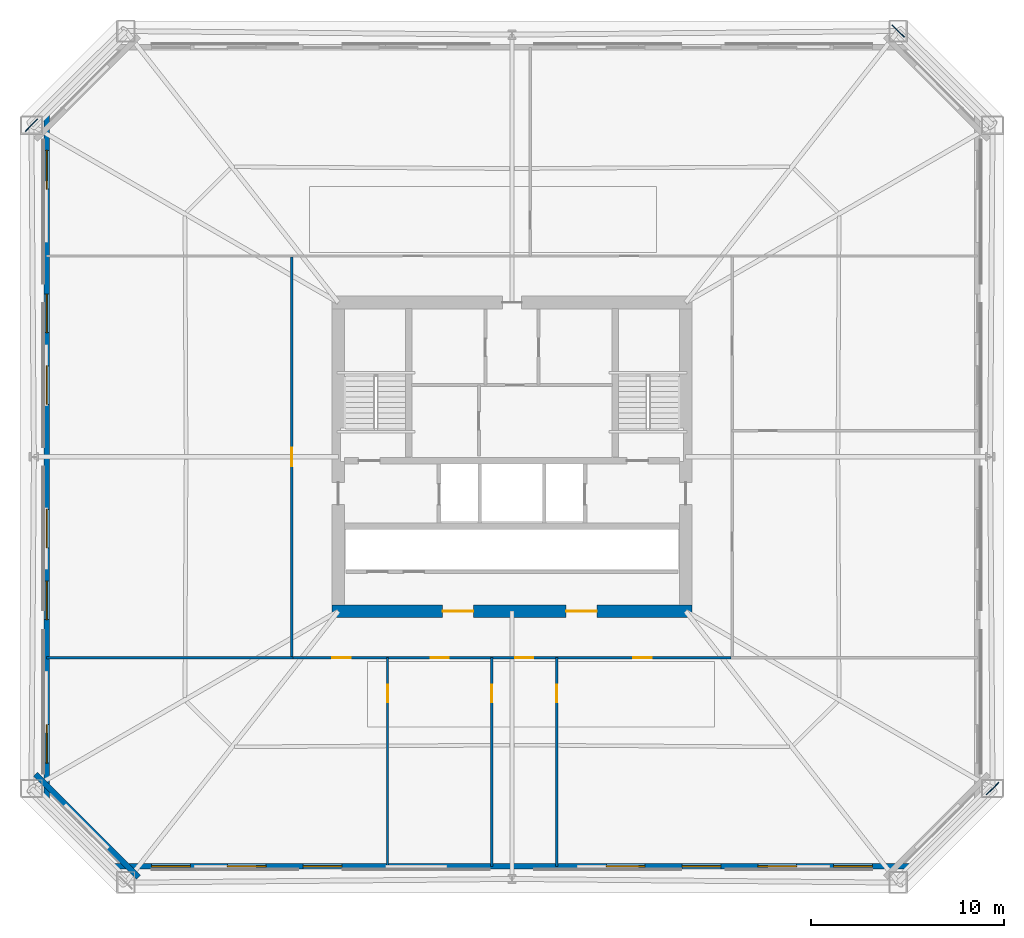
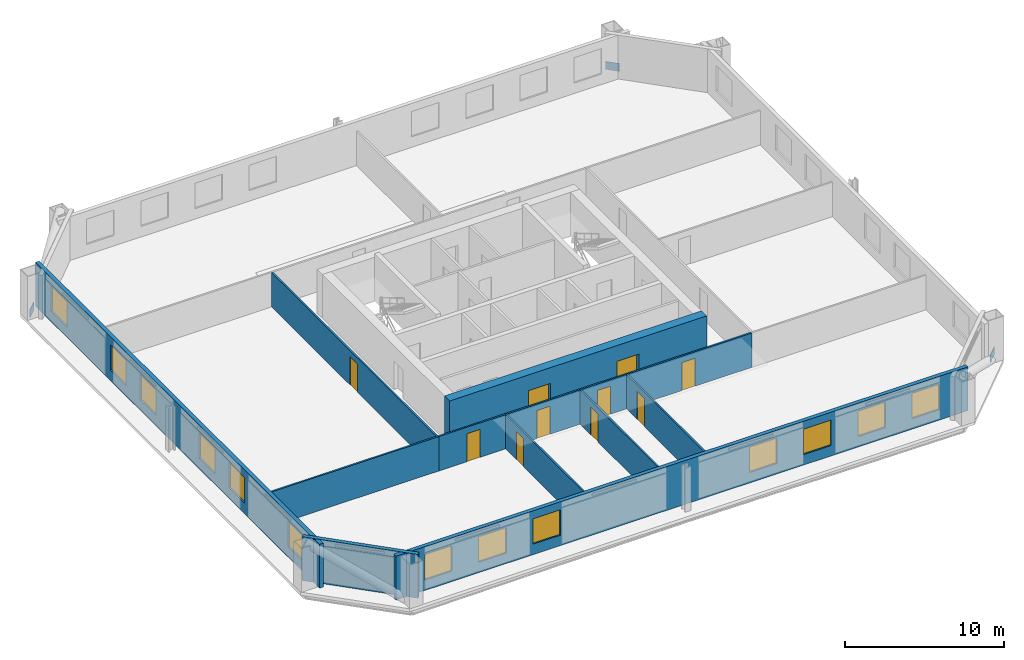
# One storey, part 4 of 9: 13 windows, 10 doors, 10 walls, 3 plates, 23 openings.
"""IFC4 building model written with IfcOpenShell, lengths in metres."""

from ifc_helpers import new_model, si_unit, direction, frame, frame_2d, origin, origin_2d, place, context, subcontext, project, spatial, rectangle, extrude, material, layer, layer_set, type_object, element, fill, save


model = new_model("IFC4")

# Units and contexts
model_context = context("Model", 3, precision=1e-05, world=origin(), true_north=direction((0.0, 1.0)))
body_context = subcontext(model_context, "Body", "Model", "MODEL_VIEW")
ifc_project = project(units=[si_unit("LENGTHUNIT", "METRE"), si_unit("AREAUNIT", "SQUARE_METRE"), si_unit("VOLUMEUNIT", "CUBIC_METRE"), si_unit("PLANEANGLEUNIT", "RADIAN"), si_unit("MASSUNIT", "GRAM", prefix="KILO")], contexts=[model_context])

# Site, building, storey
site_placement = place(None, origin())
site = spatial("IfcSite", under=ifc_project, at=site_placement, CompositionType="ELEMENT")
building_placement = place(site_placement, origin())
building = spatial("IfcBuilding", under=site, at=building_placement, Name="Caelvoria Tower", CompositionType="ELEMENT")
storey_placement = place(building_placement, frame((0.0, 0.0, 53.199951171875)))
storey = spatial("IfcBuildingStorey", under=building, at=storey_placement, Name="L13", CompositionType="ELEMENT", Elevation=53.199951171875)

# Plates
ifc_material_1 = material(Name="Structural Steel ASTM A572 Gr.50", Category="steel")
ifc_layer_1 = layer(ifc_material_1, 0.0400390625, Name="Structural Steel ASTM A572 Gr.50")
ifc_layer_set_1 = layer_set([ifc_layer_1], Name="Megaframe Node Gusset Plate 900x600x40 - Structural Steel ASTM A572 Gr.50")
plate_type = type_object("IfcPlateType", Name="Megaframe Node Gusset Plate 900x600x40", PredefinedType="USERDEFINED", material=ifc_layer_set_1)
for number, where, z_axis, x_axis, name in (
    (1, (70.907470703125, 14.80908203125, 0.02001953125), (0.0, 0.0, 1.0), (-0.708220325679, -0.705991480328, 0.0), "Chamfer Mega Brace Gusset L13 SE"),
    (2, (66.016357421875, 54.066650390625, 0.02001953125), (0.0, 0.0, 1.0), (0.708220325679, -0.705991480328, 0.0), "Chamfer Mega Brace Gusset L13 NE"),
    (3, (21.092529296875, 49.19091796875, 0.02001953125), (0.0, 0.0, 1.0), (0.708220325679, 0.705991480328, 0.0), "Chamfer Mega Brace Gusset L13 NW"),
):
    element("IfcPlate", number, at=place(storey_placement, frame(where, z_axis=z_axis, x_axis=x_axis)), inside=storey, type_object=plate_type, Name=name, ObjectType="GUSSET_PLATE", PredefinedType="USERDEFINED", context=body_context, shape_type="SweptSolid", body=[
        extrude(rectangle(XDim=0.89990234375, YDim=0.0400390625, at=origin_2d()), origin(), (0.0, 0.0, 1.0), 0.60009765625),
    ])

# Wall, openings, windows
ifc_material_2 = material(Name="Precast Concrete C40/50 with Bronze Cladding", Category="concrete")
ifc_layer_2 = layer(ifc_material_2, 0.280029296875, Name="Precast Concrete C40/50 with Bronze Cladding")
ifc_layer_set_2 = layer_set([ifc_layer_2], Name="Exterior Precast Concrete C40/50 Bronze-Clad Facade Wall 280 - Precast Concrete C40/50 with Bronze Cladding")
wall_type_1 = type_object("IfcWallType", Name="Exterior Precast Concrete C40/50 Bronze-Clad Facade Wall 280", PredefinedType="STANDARD", material=ifc_layer_set_2)
wall_1_placement = place(storey_placement, frame((25.260009765625, 10.780029296875, 0.0), z_axis=(0.0, 0.0, 1.0), x_axis=(1.0, 0.0, 0.0)))
wall_1 = element("IfcWall", 4, at=wall_1_placement, inside=storey, type_object=wall_type_1, Name="Exterior Facade Wall L13-E0", PredefinedType="STANDARD", context=body_context, shape_type="SweptSolid", body=[
    extrude(rectangle(XDim=41.47998046875, YDim=0.280029296875, at=frame_2d((20.739990234375, 0.0))), origin(), (0.0, 0.0, 1.0), 3.360107421875),
])
opening_1_placement = place(wall_1_placement, frame((2.06396484375, 0.0, 0.800048828125)))
opening_1 = element("IfcOpeningElement", 5, at=opening_1_placement, cuts=wall_1, Name="Opening WN-01", PredefinedType="OPENING", context=body_context, shape_type="SweptSolid", body=[
    extrude(rectangle(XDim=2.0, YDim=1.949951171875, at=frame_2d((1.0, 0.97509765625))), frame((0.0, 0.14990234375, 0.0), z_axis=(0.0, -1.0, 0.0), x_axis=(1.0, 0.0, 0.0)), (0.0, 0.0, 1.0), 0.300048828125),
])
opening_2_placement = place(wall_1_placement, frame((5.991943359375, 0.0, 0.800048828125)))
opening_2 = element("IfcOpeningElement", 6, at=opening_2_placement, cuts=wall_1, Name="Opening WN-01", PredefinedType="OPENING", context=body_context, shape_type="SweptSolid", body=[
    extrude(rectangle(XDim=2.0, YDim=1.949951171875, at=frame_2d((1.0, 0.97509765625))), frame((0.0, 0.14990234375, 0.0), z_axis=(0.0, -1.0, 0.0), x_axis=(1.0, 0.0, 0.0)), (0.0, 0.0, 1.0), 0.300048828125),
])
opening_3_placement = place(wall_1_placement, frame((9.919921875, 0.0, 0.800048828125)))
opening_3 = element("IfcOpeningElement", 7, at=opening_3_placement, cuts=wall_1, Name="Opening WN-01", PredefinedType="OPENING", context=body_context, shape_type="SweptSolid", body=[
    extrude(rectangle(XDim=2.0, YDim=1.949951171875, at=frame_2d((1.0, 0.97509765625))), frame((0.0, 0.14990234375, 0.0), z_axis=(0.0, -1.0, 0.0), x_axis=(1.0, 0.0, 0.0)), (0.0, 0.0, 1.0), 0.300048828125),
])
opening_4_placement = place(wall_1_placement, frame((25.632080078125, 0.0, 0.800048828125)))
opening_4 = element("IfcOpeningElement", 8, at=opening_4_placement, cuts=wall_1, Name="Opening WN-01", PredefinedType="OPENING", context=body_context, shape_type="SweptSolid", body=[
    extrude(rectangle(XDim=2.0, YDim=1.949951171875, at=frame_2d((1.0, 0.97509765625))), frame((0.0, 0.14990234375, 0.0), z_axis=(0.0, -1.0, 0.0), x_axis=(1.0, 0.0, 0.0)), (0.0, 0.0, 1.0), 0.300048828125),
])
opening_5_placement = place(wall_1_placement, frame((29.56005859375, 0.0, 0.800048828125)))
opening_5 = element("IfcOpeningElement", 9, at=opening_5_placement, cuts=wall_1, Name="Opening WN-01", PredefinedType="OPENING", context=body_context, shape_type="SweptSolid", body=[
    extrude(rectangle(XDim=2.0, YDim=1.949951171875, at=frame_2d((1.0, 0.97509765625))), frame((0.0, 0.14990234375, 0.0), z_axis=(0.0, -1.0, 0.0), x_axis=(1.0, 0.0, 0.0)), (0.0, 0.0, 1.0), 0.300048828125),
])
opening_6_placement = place(wall_1_placement, frame((33.488037109375, 0.0, 0.800048828125)))
opening_6 = element("IfcOpeningElement", 10, at=opening_6_placement, cuts=wall_1, Name="Opening WN-01", PredefinedType="OPENING", context=body_context, shape_type="SweptSolid", body=[
    extrude(rectangle(XDim=2.0, YDim=1.949951171875, at=frame_2d((1.0, 0.97509765625))), frame((0.0, 0.14990234375, 0.0), z_axis=(0.0, -1.0, 0.0), x_axis=(1.0, 0.0, 0.0)), (0.0, 0.0, 1.0), 0.300048828125),
])
opening_7_placement = place(wall_1_placement, frame((37.416015625, 0.0, 0.800048828125)))
opening_7 = element("IfcOpeningElement", 11, at=opening_7_placement, cuts=wall_1, Name="Opening WN-01", PredefinedType="OPENING", context=body_context, shape_type="SweptSolid", body=[
    extrude(rectangle(XDim=2.0, YDim=1.949951171875, at=frame_2d((1.0, 0.97509765625))), frame((0.0, 0.14990234375, 0.0), z_axis=(0.0, -1.0, 0.0), x_axis=(1.0, 0.0, 0.0)), (0.0, 0.0, 1.0), 0.300048828125),
])
ifc_material_3 = material(Name="Low-E Tinted Glass in Bronze Aluminium Frame", Category="aluminium")
window_type = type_object("IfcWindowType", Name="Tower Office Vision Window 2000x1950", PartitioningType="SINGLE_PANEL", PredefinedType="WINDOW", material=ifc_material_3)
window_1_placement = place(opening_1_placement, origin())
window_1 = element("IfcWindow", 12, at=window_1_placement, inside=storey, type_object=window_type, Name="Facade Window L13-E0-00", OverallHeight=1.949951171875, OverallWidth=2.0, PartitioningType="SINGLE_PANEL", PredefinedType="WINDOW", context=body_context, shape_type="SweptSolid", body=[
    extrude(rectangle(XDim=2.0, YDim=1.949951171875, at=frame_2d((1.0, 0.97509765625))), frame((0.0, 0.030029296875, 0.0), z_axis=(0.0, -1.0, 0.0), x_axis=(1.0, 0.0, 0.0)), (0.0, 0.0, 1.0), 0.06005859375),
])
fill(opening_1, window_1)
window_2_placement = place(opening_2_placement, origin())
window_2 = element("IfcWindow", 13, at=window_2_placement, inside=storey, type_object=window_type, Name="Facade Window L13-E0-01", OverallHeight=1.949951171875, OverallWidth=2.0, PartitioningType="SINGLE_PANEL", PredefinedType="WINDOW", context=body_context, shape_type="SweptSolid", body=[
    extrude(rectangle(XDim=2.0, YDim=1.949951171875, at=frame_2d((1.0, 0.97509765625))), frame((0.0, 0.030029296875, 0.0), z_axis=(0.0, -1.0, 0.0), x_axis=(1.0, 0.0, 0.0)), (0.0, 0.0, 1.0), 0.06005859375),
])
fill(opening_2, window_2)
window_3_placement = place(opening_3_placement, origin())
window_3 = element("IfcWindow", 14, at=window_3_placement, inside=storey, type_object=window_type, Name="Facade Window L13-E0-02", OverallHeight=1.949951171875, OverallWidth=2.0, PartitioningType="SINGLE_PANEL", PredefinedType="WINDOW", context=body_context, shape_type="SweptSolid", body=[
    extrude(rectangle(XDim=2.0, YDim=1.949951171875, at=frame_2d((1.0, 0.97509765625))), frame((0.0, 0.030029296875, 0.0), z_axis=(0.0, -1.0, 0.0), x_axis=(1.0, 0.0, 0.0)), (0.0, 0.0, 1.0), 0.06005859375),
])
fill(opening_3, window_3)
window_4_placement = place(opening_4_placement, origin())
window_4 = element("IfcWindow", 15, at=window_4_placement, inside=storey, type_object=window_type, Name="Facade Window L13-E0-06", OverallHeight=1.949951171875, OverallWidth=2.0, PartitioningType="SINGLE_PANEL", PredefinedType="WINDOW", context=body_context, shape_type="SweptSolid", body=[
    extrude(rectangle(XDim=2.0, YDim=1.949951171875, at=frame_2d((1.0, 0.97509765625))), frame((0.0, 0.030029296875, 0.0), z_axis=(0.0, -1.0, 0.0), x_axis=(1.0, 0.0, 0.0)), (0.0, 0.0, 1.0), 0.06005859375),
])
fill(opening_4, window_4)
window_5_placement = place(opening_5_placement, origin())
window_5 = element("IfcWindow", 16, at=window_5_placement, inside=storey, type_object=window_type, Name="Facade Window L13-E0-07", OverallHeight=1.949951171875, OverallWidth=2.0, PartitioningType="SINGLE_PANEL", PredefinedType="WINDOW", context=body_context, shape_type="SweptSolid", body=[
    extrude(rectangle(XDim=2.0, YDim=1.949951171875, at=frame_2d((1.0, 0.97509765625))), frame((0.0, 0.030029296875, 0.0), z_axis=(0.0, -1.0, 0.0), x_axis=(1.0, 0.0, 0.0)), (0.0, 0.0, 1.0), 0.06005859375),
])
fill(opening_5, window_5)
window_6_placement = place(opening_6_placement, origin())
window_6 = element("IfcWindow", 17, at=window_6_placement, inside=storey, type_object=window_type, Name="Facade Window L13-E0-08", OverallHeight=1.949951171875, OverallWidth=2.0, PartitioningType="SINGLE_PANEL", PredefinedType="WINDOW", context=body_context, shape_type="SweptSolid", body=[
    extrude(rectangle(XDim=2.0, YDim=1.949951171875, at=frame_2d((1.0, 0.97509765625))), frame((0.0, 0.030029296875, 0.0), z_axis=(0.0, -1.0, 0.0), x_axis=(1.0, 0.0, 0.0)), (0.0, 0.0, 1.0), 0.06005859375),
])
fill(opening_6, window_6)
window_7_placement = place(opening_7_placement, origin())
window_7 = element("IfcWindow", 18, at=window_7_placement, inside=storey, type_object=window_type, Name="Facade Window L13-E0-09", OverallHeight=1.949951171875, OverallWidth=2.0, PartitioningType="SINGLE_PANEL", PredefinedType="WINDOW", context=body_context, shape_type="SweptSolid", body=[
    extrude(rectangle(XDim=2.0, YDim=1.949951171875, at=frame_2d((1.0, 0.97509765625))), frame((0.0, 0.030029296875, 0.0), z_axis=(0.0, -1.0, 0.0), x_axis=(1.0, 0.0, 0.0)), (0.0, 0.0, 1.0), 0.06005859375),
])
fill(opening_7, window_7)

wall_2_placement = place(storey_placement, frame((21.8798828125, 49.840087890625, 0.0), z_axis=(0.0, 0.0, 1.0), x_axis=(0.0, -1.0, 0.0)))
wall_2 = element("IfcWall", 19, at=wall_2_placement, inside=storey, type_object=wall_type_1, Name="Exterior Facade Wall L13-E6", PredefinedType="STANDARD", context=body_context, shape_type="SweptSolid", body=[
    extrude(rectangle(XDim=35.68017578125, YDim=0.280029296875, at=frame_2d((17.840087890625, 0.0))), origin(), (0.0, 0.0, 1.0), 3.360107421875),
])
opening_8_placement = place(wall_2_placement, frame((1.9599609375, 0.0, 0.800048828125)))
opening_8 = element("IfcOpeningElement", 20, at=opening_8_placement, cuts=wall_2, Name="Opening WN-01", PredefinedType="OPENING", context=body_context, shape_type="SweptSolid", body=[
    extrude(rectangle(XDim=2.0, YDim=1.949951171875, at=frame_2d((1.0, 0.97509765625))), frame((0.0, 0.14990234375, 0.0), z_axis=(0.0, -1.0, 0.0), x_axis=(1.0, 0.0, 0.0)), (0.0, 0.0, 1.0), 0.300048828125),
])
opening_9_placement = place(wall_2_placement, frame((9.39990234375, 0.0, 0.800048828125)))
opening_9 = element("IfcOpeningElement", 21, at=opening_9_placement, cuts=wall_2, Name="Opening WN-01", PredefinedType="OPENING", context=body_context, shape_type="SweptSolid", body=[
    extrude(rectangle(XDim=2.0, YDim=1.949951171875, at=frame_2d((1.0, 0.97509765625))), frame((0.0, 0.14990234375, 0.0), z_axis=(0.0, -1.0, 0.0), x_axis=(1.0, 0.0, 0.0)), (0.0, 0.0, 1.0), 0.300048828125),
])
opening_10_placement = place(wall_2_placement, frame((13.1201171875, 0.0, 0.800048828125)))
opening_10 = element("IfcOpeningElement", 22, at=opening_10_placement, cuts=wall_2, Name="Opening WN-01", PredefinedType="OPENING", context=body_context, shape_type="SweptSolid", body=[
    extrude(rectangle(XDim=2.0, YDim=1.949951171875, at=frame_2d((1.0, 0.97509765625))), frame((0.0, 0.14990234375, 0.0), z_axis=(0.0, -1.0, 0.0), x_axis=(1.0, 0.0, 0.0)), (0.0, 0.0, 1.0), 0.300048828125),
])
opening_11_placement = place(wall_2_placement, frame((20.56005859375, 0.0, 0.800048828125)))
opening_11 = element("IfcOpeningElement", 23, at=opening_11_placement, cuts=wall_2, Name="Opening WN-01", PredefinedType="OPENING", context=body_context, shape_type="SweptSolid", body=[
    extrude(rectangle(XDim=2.0, YDim=1.949951171875, at=frame_2d((1.0, 0.97509765625))), frame((0.0, 0.14990234375, 0.0), z_axis=(0.0, -1.0, 0.0), x_axis=(1.0, 0.0, 0.0)), (0.0, 0.0, 1.0), 0.300048828125),
])
opening_12_placement = place(wall_2_placement, frame((24.280029296875, 0.0, 0.800048828125)))
opening_12 = element("IfcOpeningElement", 24, at=opening_12_placement, cuts=wall_2, Name="Opening WN-01", PredefinedType="OPENING", context=body_context, shape_type="SweptSolid", body=[
    extrude(rectangle(XDim=2.0, YDim=1.949951171875, at=frame_2d((1.0, 0.97509765625))), frame((0.0, 0.14990234375, 0.0), z_axis=(0.0, -1.0, 0.0), x_axis=(1.0, 0.0, 0.0)), (0.0, 0.0, 1.0), 0.300048828125),
])
opening_13_placement = place(wall_2_placement, frame((31.719970703125, 0.0, 0.800048828125)))
opening_13 = element("IfcOpeningElement", 25, at=opening_13_placement, cuts=wall_2, Name="Opening WN-01", PredefinedType="OPENING", context=body_context, shape_type="SweptSolid", body=[
    extrude(rectangle(XDim=2.0, YDim=1.949951171875, at=frame_2d((1.0, 0.97509765625))), frame((0.0, 0.14990234375, 0.0), z_axis=(0.0, -1.0, 0.0), x_axis=(1.0, 0.0, 0.0)), (0.0, 0.0, 1.0), 0.300048828125),
])
window_8_placement = place(opening_8_placement, origin())
window_8 = element("IfcWindow", 26, at=window_8_placement, inside=storey, type_object=window_type, Name="Facade Window L13-E6-00", OverallHeight=1.949951171875, OverallWidth=2.0, PartitioningType="SINGLE_PANEL", PredefinedType="WINDOW", context=body_context, shape_type="SweptSolid", body=[
    extrude(rectangle(XDim=2.0, YDim=1.949951171875, at=frame_2d((1.0, 0.97509765625))), frame((0.0, 0.030029296875, 0.0), z_axis=(0.0, -1.0, 0.0), x_axis=(1.0, 0.0, 0.0)), (0.0, 0.0, 1.0), 0.06005859375),
])
fill(opening_8, window_8)
window_9_placement = place(opening_9_placement, origin())
window_9 = element("IfcWindow", 27, at=window_9_placement, inside=storey, type_object=window_type, Name="Facade Window L13-E6-02", OverallHeight=1.949951171875, OverallWidth=2.0, PartitioningType="SINGLE_PANEL", PredefinedType="WINDOW", context=body_context, shape_type="SweptSolid", body=[
    extrude(rectangle(XDim=2.0, YDim=1.949951171875, at=frame_2d((1.0, 0.97509765625))), frame((0.0, 0.030029296875, 0.0), z_axis=(0.0, -1.0, 0.0), x_axis=(1.0, 0.0, 0.0)), (0.0, 0.0, 1.0), 0.06005859375),
])
fill(opening_9, window_9)
window_10_placement = place(opening_10_placement, origin())
window_10 = element("IfcWindow", 28, at=window_10_placement, inside=storey, type_object=window_type, Name="Facade Window L13-E6-03", OverallHeight=1.949951171875, OverallWidth=2.0, PartitioningType="SINGLE_PANEL", PredefinedType="WINDOW", context=body_context, shape_type="SweptSolid", body=[
    extrude(rectangle(XDim=2.0, YDim=1.949951171875, at=frame_2d((1.0, 0.97509765625))), frame((0.0, 0.030029296875, 0.0), z_axis=(0.0, -1.0, 0.0), x_axis=(1.0, 0.0, 0.0)), (0.0, 0.0, 1.0), 0.06005859375),
])
fill(opening_10, window_10)
window_11_placement = place(opening_11_placement, origin())
window_11 = element("IfcWindow", 29, at=window_11_placement, inside=storey, type_object=window_type, Name="Facade Window L13-E6-05", OverallHeight=1.949951171875, OverallWidth=2.0, PartitioningType="SINGLE_PANEL", PredefinedType="WINDOW", context=body_context, shape_type="SweptSolid", body=[
    extrude(rectangle(XDim=2.0, YDim=1.949951171875, at=frame_2d((1.0, 0.97509765625))), frame((0.0, 0.030029296875, 0.0), z_axis=(0.0, -1.0, 0.0), x_axis=(1.0, 0.0, 0.0)), (0.0, 0.0, 1.0), 0.06005859375),
])
fill(opening_11, window_11)
window_12_placement = place(opening_12_placement, origin())
window_12 = element("IfcWindow", 30, at=window_12_placement, inside=storey, type_object=window_type, Name="Facade Window L13-E6-06", OverallHeight=1.949951171875, OverallWidth=2.0, PartitioningType="SINGLE_PANEL", PredefinedType="WINDOW", context=body_context, shape_type="SweptSolid", body=[
    extrude(rectangle(XDim=2.0, YDim=1.949951171875, at=frame_2d((1.0, 0.97509765625))), frame((0.0, 0.030029296875, 0.0), z_axis=(0.0, -1.0, 0.0), x_axis=(1.0, 0.0, 0.0)), (0.0, 0.0, 1.0), 0.06005859375),
])
fill(opening_12, window_12)
window_13_placement = place(opening_13_placement, origin())
window_13 = element("IfcWindow", 31, at=window_13_placement, inside=storey, type_object=window_type, Name="Facade Window L13-E6-08", OverallHeight=1.949951171875, OverallWidth=2.0, PartitioningType="SINGLE_PANEL", PredefinedType="WINDOW", context=body_context, shape_type="SweptSolid", body=[
    extrude(rectangle(XDim=2.0, YDim=1.949951171875, at=frame_2d((1.0, 0.97509765625))), frame((0.0, 0.030029296875, 0.0), z_axis=(0.0, -1.0, 0.0), x_axis=(1.0, 0.0, 0.0)), (0.0, 0.0, 1.0), 0.06005859375),
])
fill(opening_13, window_13)

# Wall
wall_3_placement = place(storey_placement, frame((21.30615234375, 15.54541015625, 0.0), z_axis=(0.0, 0.0, 1.0), x_axis=(0.707106781187, -0.707106781187, 0.0)))
element("IfcWall", 32, at=wall_3_placement, inside=storey, type_object=wall_type_1, Name="Exterior Facade Wall L13-E7", PredefinedType="STANDARD", context=body_context, shape_type="SweptSolid", body=[
    extrude(rectangle(XDim=7.551025390625, YDim=0.280029296875, at=frame_2d((3.775390625, 0.0))), origin(), (0.0, 0.0, 1.0), 3.360107421875),
])

# Wall, openings, doors
ifc_material_4 = material(Name="Concrete C60/75", Category="concrete")
ifc_layer_3 = layer(ifc_material_4, 0.64990234375, Name="Concrete C60/75")
ifc_layer_set_3 = layer_set([ifc_layer_3], Name="Lower Core Shear Wall 650 - Concrete C60/75")
wall_type_2 = type_object("IfcWallType", Name="Lower Core Shear Wall 650", PredefinedType="SHEAR", material=ifc_layer_set_3)
wall_4_placement = place(storey_placement, frame((36.675048828125, 24.0, 0.0), z_axis=(0.0, 0.0, 1.0), x_axis=(1.0, 0.0, 0.0)))
wall_4 = element("IfcWall", 33, at=wall_4_placement, inside=storey, type_object=wall_type_2, Name="Core Shear Wall L13 S", PredefinedType="SHEAR", context=body_context, shape_type="SweptSolid", body=[
    extrude(rectangle(XDim=18.64990234375, YDim=0.64990234375, at=frame_2d((9.324951171875, 0.0))), origin(), (0.0, 0.0, 1.0), 3.360107421875),
])
opening_14_placement = place(wall_4_placement, frame((5.72509765625, 0.0, 0.0)))
opening_14 = element("IfcOpeningElement", 34, at=opening_14_placement, cuts=wall_4, Name="Opening ID-08", PredefinedType="OPENING", context=body_context, shape_type="SweptSolid", body=[
    extrude(rectangle(XDim=1.60009765625, YDim=2.14990234375, at=frame_2d((0.800048828125, 1.074951171875))), frame((0.0, 0.3349609375, 0.0), z_axis=(0.0, -1.0, 0.0), x_axis=(1.0, 0.0, 0.0)), (0.0, 0.0, 1.0), 0.669921875),
])
opening_15_placement = place(wall_4_placement, frame((12.125, 0.0, 0.0)))
opening_15 = element("IfcOpeningElement", 35, at=opening_15_placement, cuts=wall_4, Name="Opening ID-08", PredefinedType="OPENING", context=body_context, shape_type="SweptSolid", body=[
    extrude(rectangle(XDim=1.60009765625, YDim=2.14990234375, at=frame_2d((0.800048828125, 1.074951171875))), frame((0.0, 0.3349609375, 0.0), z_axis=(0.0, -1.0, 0.0), x_axis=(1.0, 0.0, 0.0)), (0.0, 0.0, 1.0), 0.669921875),
])
ifc_material_5 = material(Name="Bronze-Framed Fire-Rated Glazed Double Door", Category="aluminium")
door_type_1 = type_object("IfcDoorType", Name="Double Lobby Glazed Door 1600x2200", OperationType="NOTDEFINED", PredefinedType="DOOR", material=ifc_material_5)
door_1_placement = place(opening_14_placement, origin())
door_1 = element("IfcDoor", 36, at=door_1_placement, inside=storey, type_object=door_type_1, Name="Core Door DR-L13-LLOB-S1", OperationType="DOUBLE_DOOR_SINGLE_SWING", OverallHeight=2.14990234375, OverallWidth=1.60009765625, PredefinedType="DOOR", context=body_context, shape_type="SweptSolid", body=[
    extrude(rectangle(XDim=1.60009765625, YDim=2.14990234375, at=frame_2d((0.800048828125, 1.074951171875))), frame((0.0, 0.02490234375, 0.0), z_axis=(0.0, -1.0, 0.0), x_axis=(1.0, 0.0, 0.0)), (0.0, 0.0, 1.0), 0.050048828125),
])
fill(opening_14, door_1)
door_2_placement = place(opening_15_placement, origin())
door_2 = element("IfcDoor", 37, at=door_2_placement, inside=storey, type_object=door_type_1, Name="Core Door DR-L13-LLOB-S2", OperationType="DOUBLE_DOOR_SINGLE_SWING", OverallHeight=2.14990234375, OverallWidth=1.60009765625, PredefinedType="DOOR", context=body_context, shape_type="SweptSolid", body=[
    extrude(rectangle(XDim=1.60009765625, YDim=2.14990234375, at=frame_2d((0.800048828125, 1.074951171875))), frame((0.0, 0.02490234375, 0.0), z_axis=(0.0, -1.0, 0.0), x_axis=(1.0, 0.0, 0.0)), (0.0, 0.0, 1.0), 0.050048828125),
])
fill(opening_15, door_2)

# Wall, opening, door
ifc_material_6 = material(Name="Acoustic Gypsum Board on Light-Gauge Stud", Category="gypsum")
ifc_layer_4 = layer(ifc_material_6, 0.1201171875, Name="Acoustic Gypsum Board on Light-Gauge Stud")
ifc_layer_set_4 = layer_set([ifc_layer_4], Name="Tenant Suite Acoustic Partition Wall 120 - Acoustic Gypsum Board on Light-Gauge Stud")
wall_type_3 = type_object("IfcWallType", Name="Tenant Suite Acoustic Partition Wall 120", PredefinedType="PARTITIONING", material=ifc_layer_set_4)
wall_5_placement = place(storey_placement, frame((39.551025390625, 21.590087890625, 0.0), z_axis=(0.0, 0.0, 1.0), x_axis=(0.0, -1.0, 0.0)))
wall_5 = element("IfcWall", 38, at=wall_5_placement, inside=storey, type_object=wall_type_3, Name="Interior Partition IW-L13-SD-00-0", PredefinedType="PARTITIONING", context=body_context, shape_type="SweptSolid", body=[
    extrude(rectangle(XDim=10.81005859375, YDim=0.1201171875, at=frame_2d((5.405029296875, 0.0))), origin(), (0.0, 0.0, 1.0), 2.64013671875),
])
opening_16_placement = place(wall_5_placement, frame((1.39990234375, 0.0, 0.0)))
opening_16 = element("IfcOpeningElement", 39, at=opening_16_placement, cuts=wall_5, Name="Opening ID-06", PredefinedType="OPENING", context=body_context, shape_type="SweptSolid", body=[
    extrude(rectangle(XDim=0.89990234375, YDim=2.14990234375, at=frame_2d((0.449951171875, 1.074951171875))), frame((0.0, 0.070068359375, 0.0), z_axis=(0.0, -1.0, 0.0), x_axis=(1.0, 0.0, 0.0)), (0.0, 0.0, 1.0), 0.14013671875),
])
ifc_material_7 = material(Name="Engineered Andean Oak Veneer Door", Category="wood")
door_type_2 = type_object("IfcDoorType", Name="Interior Timber Door 900x2150", OperationType="NOTDEFINED", PredefinedType="DOOR", material=ifc_material_7)
door_3_placement = place(opening_16_placement, origin())
door_3 = element("IfcDoor", 40, at=door_3_placement, inside=storey, type_object=door_type_2, Name="Interior Door DR-L13-SM-00-0", OperationType="SINGLE_SWING_RIGHT", OverallHeight=2.14990234375, OverallWidth=0.89990234375, PredefinedType="DOOR", context=body_context, shape_type="SweptSolid", body=[
    extrude(rectangle(XDim=0.89990234375, YDim=2.14990234375, at=frame_2d((0.449951171875, 1.074951171875))), frame((0.0, 0.02490234375, 0.0), z_axis=(0.0, -1.0, 0.0), x_axis=(1.0, 0.0, 0.0)), (0.0, 0.0, 1.0), 0.050048828125),
])
fill(opening_16, door_3)

wall_6_placement = place(storey_placement, frame((44.95166015625, 21.590087890625, 0.0), z_axis=(0.0, 0.0, 1.0), x_axis=(0.0, -1.0, 0.0)))
wall_6 = element("IfcWall", 41, at=wall_6_placement, inside=storey, type_object=wall_type_3, Name="Interior Partition IW-L13-SD-01-0", PredefinedType="PARTITIONING", context=body_context, shape_type="SweptSolid", body=[
    extrude(rectangle(XDim=10.81005859375, YDim=0.1201171875, at=frame_2d((5.405029296875, 0.0))), origin(), (0.0, 0.0, 1.0), 2.64013671875),
])
opening_17_placement = place(wall_6_placement, frame((1.39990234375, 0.0, 0.0)))
opening_17 = element("IfcOpeningElement", 42, at=opening_17_placement, cuts=wall_6, Name="Opening ID-06", PredefinedType="OPENING", context=body_context, shape_type="SweptSolid", body=[
    extrude(rectangle(XDim=0.89990234375, YDim=2.14990234375, at=frame_2d((0.449951171875, 1.074951171875))), frame((0.0, 0.070068359375, 0.0), z_axis=(0.0, -1.0, 0.0), x_axis=(1.0, 0.0, 0.0)), (0.0, 0.0, 1.0), 0.14013671875),
])
door_4_placement = place(opening_17_placement, origin())
door_4 = element("IfcDoor", 43, at=door_4_placement, inside=storey, type_object=door_type_2, Name="Interior Door DR-L13-SM-01-0", OperationType="SINGLE_SWING_LEFT", OverallHeight=2.14990234375, OverallWidth=0.89990234375, PredefinedType="DOOR", context=body_context, shape_type="SweptSolid", body=[
    extrude(rectangle(XDim=0.89990234375, YDim=2.14990234375, at=frame_2d((0.449951171875, 1.074951171875))), frame((0.0, 0.02490234375, 0.0), z_axis=(0.0, -1.0, 0.0), x_axis=(1.0, 0.0, 0.0)), (0.0, 0.0, 1.0), 0.050048828125),
])
fill(opening_17, door_4)

wall_7_placement = place(storey_placement, frame((48.31591796875, 21.590087890625, 0.0), z_axis=(0.0, 0.0, 1.0), x_axis=(0.0, -1.0, 0.0)))
wall_7 = element("IfcWall", 44, at=wall_7_placement, inside=storey, type_object=wall_type_3, Name="Interior Partition IW-L13-SD-02-0", PredefinedType="PARTITIONING", context=body_context, shape_type="SweptSolid", body=[
    extrude(rectangle(XDim=10.81005859375, YDim=0.1201171875, at=frame_2d((5.405029296875, 0.0))), origin(), (0.0, 0.0, 1.0), 2.64013671875),
])
opening_18_placement = place(wall_7_placement, frame((1.39990234375, 0.0, 0.0)))
opening_18 = element("IfcOpeningElement", 45, at=opening_18_placement, cuts=wall_7, Name="Opening ID-06", PredefinedType="OPENING", context=body_context, shape_type="SweptSolid", body=[
    extrude(rectangle(XDim=0.89990234375, YDim=2.14990234375, at=frame_2d((0.449951171875, 1.074951171875))), frame((0.0, 0.070068359375, 0.0), z_axis=(0.0, -1.0, 0.0), x_axis=(1.0, 0.0, 0.0)), (0.0, 0.0, 1.0), 0.14013671875),
])
door_5_placement = place(opening_18_placement, origin())
door_5 = element("IfcDoor", 46, at=door_5_placement, inside=storey, type_object=door_type_2, Name="Interior Door DR-L13-SM-02-0", OperationType="SINGLE_SWING_RIGHT", OverallHeight=2.14990234375, OverallWidth=0.89990234375, PredefinedType="DOOR", context=body_context, shape_type="SweptSolid", body=[
    extrude(rectangle(XDim=0.89990234375, YDim=2.14990234375, at=frame_2d((0.449951171875, 1.074951171875))), frame((0.0, 0.02490234375, 0.0), z_axis=(0.0, -1.0, 0.0), x_axis=(1.0, 0.0, 0.0)), (0.0, 0.0, 1.0), 0.050048828125),
])
fill(opening_18, door_5)

# Wall, openings, doors
wall_8_placement = place(storey_placement, frame((34.64990234375, 21.590087890625, 0.0), z_axis=(0.0, 0.0, 1.0), x_axis=(1.0, 0.0, 0.0)))
wall_8 = element("IfcWall", 47, at=wall_8_placement, inside=storey, type_object=wall_type_3, Name="Interior Partition IW-L13-SCW-0", PredefinedType="PARTITIONING", context=body_context, shape_type="SweptSolid", body=[
    extrude(rectangle(XDim=22.7001953125, YDim=0.1201171875, at=frame_2d((11.35009765625, 0.0))), origin(), (0.0, 0.0, 1.0), 2.64013671875),
])
opening_19_placement = place(wall_8_placement, frame((2.04541015625, 0.0, 0.0)))
opening_19 = element("IfcOpeningElement", 48, at=opening_19_placement, cuts=wall_8, Name="Opening ID-05", PredefinedType="OPENING", context=body_context, shape_type="SweptSolid", body=[
    extrude(rectangle(XDim=0.949951171875, YDim=2.14990234375, at=frame_2d((0.47509765625, 1.074951171875))), frame((0.0, 0.070068359375, 0.0), z_axis=(0.0, -1.0, 0.0), x_axis=(1.0, 0.0, 0.0)), (0.0, 0.0, 1.0), 0.14013671875),
])
opening_20_placement = place(wall_8_placement, frame((7.12646484375, 0.0, 0.0)))
opening_20 = element("IfcOpeningElement", 49, at=opening_20_placement, cuts=wall_8, Name="Opening ID-05", PredefinedType="OPENING", context=body_context, shape_type="SweptSolid", body=[
    extrude(rectangle(XDim=0.949951171875, YDim=2.14990234375, at=frame_2d((0.47509765625, 1.074951171875))), frame((0.0, 0.070068359375, 0.0), z_axis=(0.0, -1.0, 0.0), x_axis=(1.0, 0.0, 0.0)), (0.0, 0.0, 1.0), 0.14013671875),
])
opening_21_placement = place(wall_8_placement, frame((11.5087890625, 0.0, 0.0)))
opening_21 = element("IfcOpeningElement", 50, at=opening_21_placement, cuts=wall_8, Name="Opening ID-05", PredefinedType="OPENING", context=body_context, shape_type="SweptSolid", body=[
    extrude(rectangle(XDim=0.949951171875, YDim=2.14990234375, at=frame_2d((0.47509765625, 1.074951171875))), frame((0.0, 0.070068359375, 0.0), z_axis=(0.0, -1.0, 0.0), x_axis=(1.0, 0.0, 0.0)), (0.0, 0.0, 1.0), 0.14013671875),
])
opening_22_placement = place(wall_8_placement, frame((17.637939453125, 0.0, 0.0)))
opening_22 = element("IfcOpeningElement", 51, at=opening_22_placement, cuts=wall_8, Name="Opening ID-05", PredefinedType="OPENING", context=body_context, shape_type="SweptSolid", body=[
    extrude(rectangle(XDim=0.949951171875, YDim=2.14990234375, at=frame_2d((0.47509765625, 1.074951171875))), frame((0.0, 0.070068359375, 0.0), z_axis=(0.0, -1.0, 0.0), x_axis=(1.0, 0.0, 0.0)), (0.0, 0.0, 1.0), 0.14013671875),
])
door_type_3 = type_object("IfcDoorType", Name="Interior Timber Door 950x2150", OperationType="NOTDEFINED", PredefinedType="DOOR", material=ifc_material_7)
door_6_placement = place(opening_19_placement, origin())
door_6 = element("IfcDoor", 52, at=door_6_placement, inside=storey, type_object=door_type_3, Name="Interior Door DR-L13-SC-00-0", OperationType="SINGLE_SWING_RIGHT", OverallHeight=2.14990234375, OverallWidth=0.949951171875, PredefinedType="DOOR", context=body_context, shape_type="SweptSolid", body=[
    extrude(rectangle(XDim=0.949951171875, YDim=2.14990234375, at=frame_2d((0.47509765625, 1.074951171875))), frame((0.0, 0.02490234375, 0.0), z_axis=(0.0, -1.0, 0.0), x_axis=(1.0, 0.0, 0.0)), (0.0, 0.0, 1.0), 0.050048828125),
])
fill(opening_19, door_6)
door_7_placement = place(opening_20_placement, origin())
door_7 = element("IfcDoor", 53, at=door_7_placement, inside=storey, type_object=door_type_3, Name="Interior Door DR-L13-SC-01-0", OperationType="SINGLE_SWING_LEFT", OverallHeight=2.14990234375, OverallWidth=0.949951171875, PredefinedType="DOOR", context=body_context, shape_type="SweptSolid", body=[
    extrude(rectangle(XDim=0.949951171875, YDim=2.14990234375, at=frame_2d((0.47509765625, 1.074951171875))), frame((0.0, 0.02490234375, 0.0), z_axis=(0.0, -1.0, 0.0), x_axis=(1.0, 0.0, 0.0)), (0.0, 0.0, 1.0), 0.050048828125),
])
fill(opening_20, door_7)
door_8_placement = place(opening_21_placement, origin())
door_8 = element("IfcDoor", 54, at=door_8_placement, inside=storey, type_object=door_type_3, Name="Interior Door DR-L13-SC-02-0", OperationType="SINGLE_SWING_RIGHT", OverallHeight=2.14990234375, OverallWidth=0.949951171875, PredefinedType="DOOR", context=body_context, shape_type="SweptSolid", body=[
    extrude(rectangle(XDim=0.949951171875, YDim=2.14990234375, at=frame_2d((0.47509765625, 1.074951171875))), frame((0.0, 0.02490234375, 0.0), z_axis=(0.0, -1.0, 0.0), x_axis=(1.0, 0.0, 0.0)), (0.0, 0.0, 1.0), 0.050048828125),
])
fill(opening_21, door_8)
door_9_placement = place(opening_22_placement, origin())
door_9 = element("IfcDoor", 55, at=door_9_placement, inside=storey, type_object=door_type_3, Name="Interior Door DR-L13-SC-03-0", OperationType="SINGLE_SWING_LEFT", OverallHeight=2.14990234375, OverallWidth=0.949951171875, PredefinedType="DOOR", context=body_context, shape_type="SweptSolid", body=[
    extrude(rectangle(XDim=0.949951171875, YDim=2.14990234375, at=frame_2d((0.47509765625, 1.074951171875))), frame((0.0, 0.02490234375, 0.0), z_axis=(0.0, -1.0, 0.0), x_axis=(1.0, 0.0, 0.0)), (0.0, 0.0, 1.0), 0.050048828125),
])
fill(opening_22, door_9)

# Wall, opening, door
wall_9_placement = place(storey_placement, frame((34.590087890625, 21.64990234375, 0.0), z_axis=(0.0, 0.0, 1.0), x_axis=(0.0, 1.0, 0.0)))
wall_9 = element("IfcWall", 56, at=wall_9_placement, inside=storey, type_object=wall_type_3, Name="Interior Partition IW-L13-WCW-0", PredefinedType="PARTITIONING", context=body_context, shape_type="SweptSolid", body=[
    extrude(rectangle(XDim=20.7001953125, YDim=0.1201171875, at=frame_2d((10.35009765625, 0.0))), origin(), (0.0, 0.0, 1.0), 2.64013671875),
])
opening_23_placement = place(wall_9_placement, frame((9.875, 0.0, 0.0)))
opening_23 = element("IfcOpeningElement", 57, at=opening_23_placement, cuts=wall_9, Name="Opening ID-05", PredefinedType="OPENING", context=body_context, shape_type="SweptSolid", body=[
    extrude(rectangle(XDim=0.949951171875, YDim=2.14990234375, at=frame_2d((0.47509765625, 1.074951171875))), frame((0.0, 0.070068359375, 0.0), z_axis=(0.0, -1.0, 0.0), x_axis=(1.0, 0.0, 0.0)), (0.0, 0.0, 1.0), 0.14013671875),
])
door_10_placement = place(opening_23_placement, origin())
door_10 = element("IfcDoor", 58, at=door_10_placement, inside=storey, type_object=door_type_3, Name="Interior Door DR-L13-WC-00-0", OperationType="SINGLE_SWING_RIGHT", OverallHeight=2.14990234375, OverallWidth=0.949951171875, PredefinedType="DOOR", context=body_context, shape_type="SweptSolid", body=[
    extrude(rectangle(XDim=0.949951171875, YDim=2.14990234375, at=frame_2d((0.47509765625, 1.074951171875))), frame((0.0, 0.02490234375, 0.0), z_axis=(0.0, -1.0, 0.0), x_axis=(1.0, 0.0, 0.0)), (0.0, 0.0, 1.0), 0.050048828125),
])
fill(opening_23, door_10)

# Wall
wall_10_placement = place(storey_placement, frame((34.64990234375, 21.590087890625, 0.0), z_axis=(0.0, 0.0, 1.0), x_axis=(-1.0, 0.0, 0.0)))
element("IfcWall", 59, at=wall_10_placement, inside=storey, type_object=wall_type_3, Name="Interior Partition IW-L13-BSW-0", PredefinedType="PARTITIONING", context=body_context, shape_type="SweptSolid", body=[
    extrude(rectangle(XDim=12.77001953125, YDim=0.1201171875, at=frame_2d((6.385009765625, 0.0))), origin(), (0.0, 0.0, 1.0), 2.64013671875),
])

save(model, "model.ifc")
